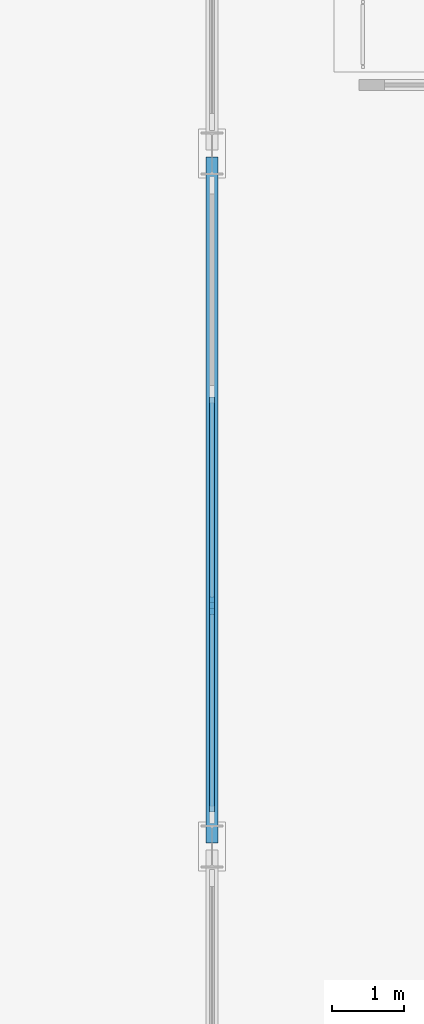
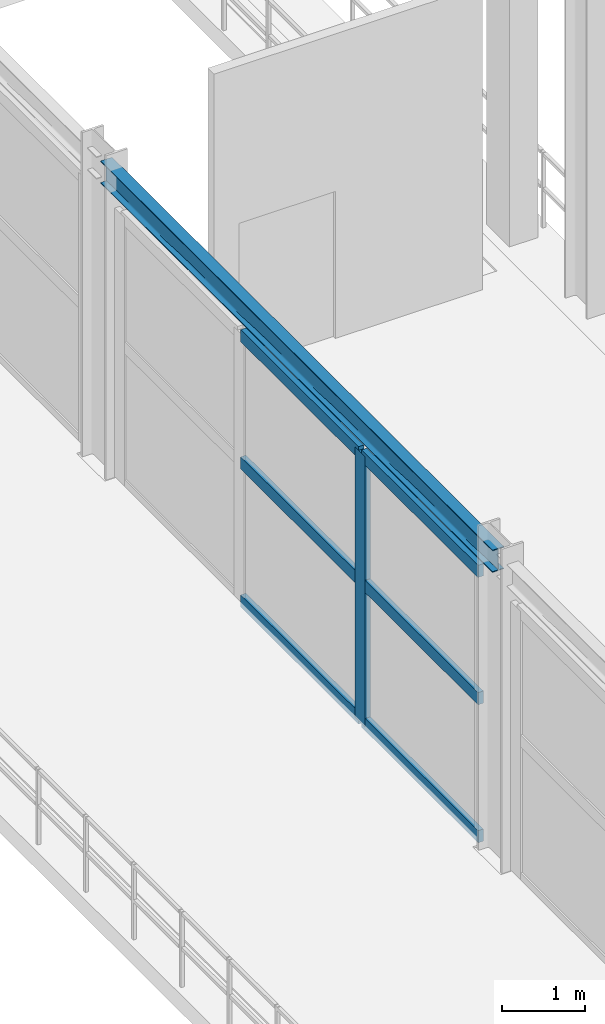
# One storey, part 40 of 125: 7 members, 1 beam, 1 element without a shape of its own.
"""IFC4 building model written with IfcOpenShell, lengths in metres."""

from ifc_helpers import new_model, si_unit, direction, frame, origin, origin_2d, place, context, subcontext, project, spatial, rectangle, i_section, extrude, material, layer, layer_set, material_profile, profile_set, type_object, element, aggregate, save


model = new_model("IFC4")

# Units and contexts
model_context = context("Model", 3, precision=1e-05, world=origin(), true_north=direction((0.0, 1.0)))
body_context = subcontext(model_context, "Body", "Model", "MODEL_VIEW")
ifc_project = project(units=[si_unit("LENGTHUNIT", "METRE"), si_unit("AREAUNIT", "SQUARE_METRE"), si_unit("VOLUMEUNIT", "CUBIC_METRE"), si_unit("PLANEANGLEUNIT", "RADIAN"), si_unit("MASSUNIT", "GRAM", prefix="KILO")], contexts=[model_context])

# Site, building, storey
site_placement = place(None, origin())
site = spatial("IfcSite", under=ifc_project, at=site_placement, CompositionType="ELEMENT")
building_placement = place(site_placement, origin())
building = spatial("IfcBuilding", under=site, at=building_placement, Name="Myrtia Square Station", CompositionType="ELEMENT")
storey_placement = place(building_placement, frame((0.0, 0.0, 6.0)))
storey = spatial("IfcBuildingStorey", under=building, at=storey_placement, Name="L01", CompositionType="ELEMENT", Elevation=6.0)

# Beam
ifc_material_1 = material(Name="Steel S355", Category="steel")
ifc_material_profile_1 = material_profile(ifc_material_1, i_section(OverallWidth=0.159912109375, OverallDepth=0.330078125, WebThickness=0.007568359375, FlangeThickness=0.011474609375, FilletRadius=0.01806640625, at=origin_2d()), Name="IPE 330")
ifc_profile_set_1 = profile_set([ifc_material_profile_1], Name="Steel S355")
beam_type = type_object("IfcBeamType", Name="BM-IPE330", PredefinedType="BEAM", material=ifc_profile_set_1)
beam_placement = place(storey_placement, frame((109.800048828125, 57.64990234375, 4.385009765625), z_axis=(0.0, 1.0, 0.0), x_axis=(-1.0, 0.0, 0.0)))
element("IfcBeam", 1, at=beam_placement, inside=storey, type_object=beam_type, Name="Structural girder BMY-L01-0570", PredefinedType="BEAM", context=body_context, shape_type="SweptSolid", body=[
    extrude(i_section(OverallWidth=0.159912109375, OverallDepth=0.330078125, WebThickness=0.007568359375, FlangeThickness=0.011474609375, FilletRadius=0.01806640625, at=origin_2d()), origin(), (0.0, 0.0, 1.0), 9.5),
])

# Curtain wall, members
ifc_material_2 = material(Name="Dark bronze anodised aluminium", Category="aluminium")
ifc_layer = layer(ifc_material_2, 0.159912109375, Name="Dark bronze anodised aluminium")
ifc_layer_set = layer_set([ifc_layer], Name="Dark bronze anodised aluminium")
curtain_wall_type = type_object("IfcCurtainWallType", Name="CW-TYPE-04-880x400", PredefinedType="USERDEFINED", material=ifc_layer_set)
curtain_wall_placement = place(storey_placement, origin())
curtain_wall = element("IfcCurtainWall", 2, at=curtain_wall_placement, inside=storey, type_object=curtain_wall_type, Name="Concourse curtain wall CW-L01-012", ObjectType="CONCOURSE CURTAIN WALL", PredefinedType="USERDEFINED")
ifc_material_profile_2 = material_profile(ifc_material_2, rectangle(XDim=0.074951171875, YDim=0.239990234375, at=origin_2d()), Name="ALU-M 75x240")
ifc_profile_set_2 = profile_set([ifc_material_profile_2], Name="Dark bronze anodised aluminium")
member_type_1 = type_object("IfcMemberType", Name="CWM-75x240", PredefinedType="MULLION", material=ifc_profile_set_2)
member_1_placement = place(storey_placement, frame((109.800048828125, 60.933349609375, 0.0), z_axis=(0.0, 0.0, 1.0), x_axis=(-1.0, 0.0, 0.0)))
member_1 = element("IfcMember", 3, at=member_1_placement, type_object=member_type_1, Name="CW-012 mullion 2", PredefinedType="MULLION", context=body_context, shape_type="SweptSolid", body=[
    extrude(rectangle(XDim=0.074951171875, YDim=0.239990234375, at=origin_2d()), origin(), (0.0, 0.0, 1.0), 4.0),
])
ifc_material_profile_3 = material_profile(ifc_material_2, rectangle(XDim=0.074951171875, YDim=0.179931640625, at=origin_2d()), Name="ALU-T 75x180")
ifc_profile_set_3 = profile_set([ifc_material_profile_3], Name="Dark bronze anodised aluminium")
member_type_2 = type_object("IfcMemberType", Name="CWT-75x180", PredefinedType="USERDEFINED", material=ifc_profile_set_3)
member_2_placement = place(storey_placement, frame((109.800048828125, 58.074951171875, 0.03759765625), z_axis=(0.0, 1.0, 0.0), x_axis=(-1.0, 0.0, 0.0)))
member_2 = element("IfcMember", 4, at=member_2_placement, type_object=member_type_2, Name="CW-012 transom 1.1", ObjectType="TRANSOM", PredefinedType="USERDEFINED", context=body_context, shape_type="SweptSolid", body=[
    extrude(rectangle(XDim=0.074951171875, YDim=0.179931640625, at=origin_2d()), origin(), (0.0, 0.0, 1.0), 2.82080078125),
])
member_3_placement = place(storey_placement, frame((109.800048828125, 58.074951171875, 2.080078125), z_axis=(0.0, 1.0, 0.0), x_axis=(-1.0, 0.0, 0.0)))
member_3 = element("IfcMember", 5, at=member_3_placement, type_object=member_type_2, Name="CW-012 transom 1.2", ObjectType="TRANSOM", PredefinedType="USERDEFINED", context=body_context, shape_type="SweptSolid", body=[
    extrude(rectangle(XDim=0.074951171875, YDim=0.179931640625, at=origin_2d()), origin(), (0.0, 0.0, 1.0), 2.82080078125),
])
member_4_placement = place(storey_placement, frame((109.800048828125, 58.074951171875, 3.96240234375), z_axis=(0.0, 1.0, 0.0), x_axis=(-1.0, 0.0, 0.0)))
member_4 = element("IfcMember", 6, at=member_4_placement, type_object=member_type_2, Name="CW-012 transom 1.3", ObjectType="TRANSOM", PredefinedType="USERDEFINED", context=body_context, shape_type="SweptSolid", body=[
    extrude(rectangle(XDim=0.074951171875, YDim=0.179931640625, at=origin_2d()), origin(), (0.0, 0.0, 1.0), 2.82080078125),
])
member_5_placement = place(storey_placement, frame((109.800048828125, 60.970947265625, 0.03759765625), z_axis=(0.0, 1.0, 0.0), x_axis=(-1.0, 0.0, 0.0)))
member_5 = element("IfcMember", 7, at=member_5_placement, type_object=member_type_2, Name="CW-012 transom 2.1", ObjectType="TRANSOM", PredefinedType="USERDEFINED", context=body_context, shape_type="SweptSolid", body=[
    extrude(rectangle(XDim=0.074951171875, YDim=0.179931640625, at=origin_2d()), origin(), (0.0, 0.0, 1.0), 2.858154296875),
])
member_6_placement = place(storey_placement, frame((109.800048828125, 60.970947265625, 2.080078125), z_axis=(0.0, 1.0, 0.0), x_axis=(-1.0, 0.0, 0.0)))
member_6 = element("IfcMember", 8, at=member_6_placement, type_object=member_type_2, Name="CW-012 transom 2.2", ObjectType="TRANSOM", PredefinedType="USERDEFINED", context=body_context, shape_type="SweptSolid", body=[
    extrude(rectangle(XDim=0.074951171875, YDim=0.179931640625, at=origin_2d()), origin(), (0.0, 0.0, 1.0), 2.858154296875),
])
member_7_placement = place(storey_placement, frame((109.800048828125, 60.970947265625, 3.96240234375), z_axis=(0.0, 1.0, 0.0), x_axis=(-1.0, 0.0, 0.0)))
member_7 = element("IfcMember", 9, at=member_7_placement, type_object=member_type_2, Name="CW-012 transom 2.3", ObjectType="TRANSOM", PredefinedType="USERDEFINED", context=body_context, shape_type="SweptSolid", body=[
    extrude(rectangle(XDim=0.074951171875, YDim=0.179931640625, at=origin_2d()), origin(), (0.0, 0.0, 1.0), 2.858154296875),
])
aggregate(curtain_wall, [member_1, member_2, member_3, member_4, member_5, member_6, member_7])

save(model, "model.ifc")
